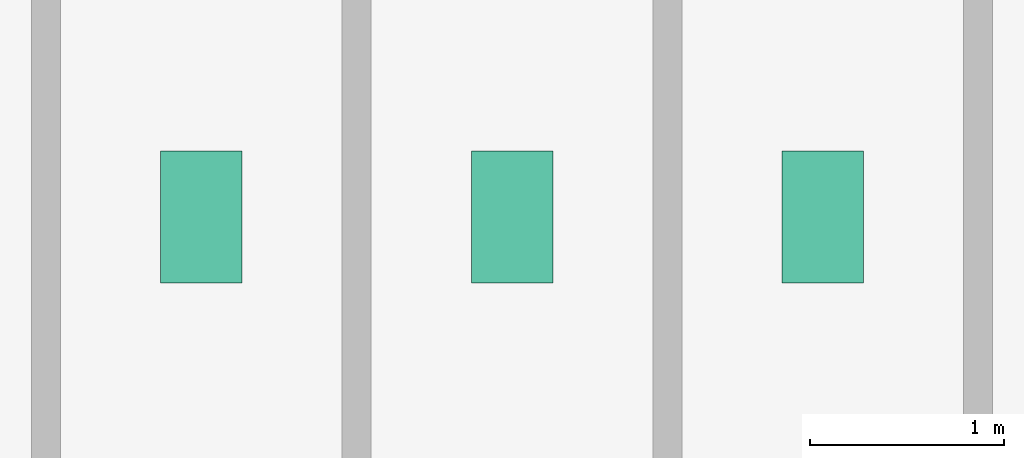
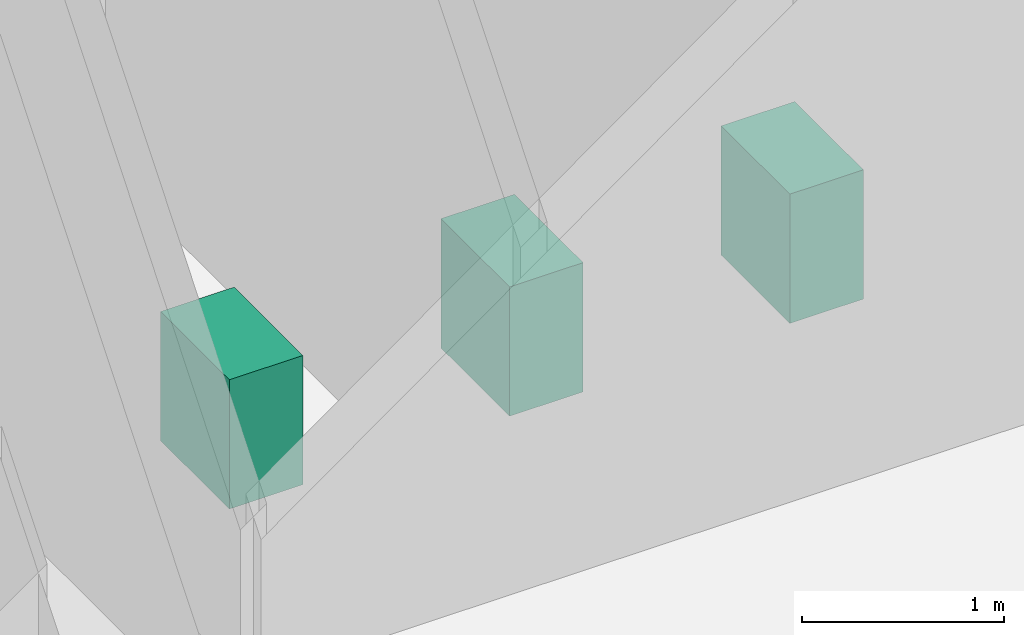
# One storey, part 22 of 22: 3 sanitary terminals.
"""IFC4 building model written with IfcOpenShell, lengths in metres."""

from ifc_helpers import new_model, si_unit, derived_unit, direction, frame, origin, origin_2d, place, context, subcontext, project, spatial, rectangle, extrude, source, transform, mapped, material, type_object, element, save


model = new_model("IFC4")

# Units and contexts
model_context = context("Model", 3, precision=1e-05, world=origin(), true_north=direction((0.0, 1.0)))
body_context = subcontext(model_context, "Body", "Model", "MODEL_VIEW")
ifc_project = project(units=[si_unit("LENGTHUNIT", "METRE"), si_unit("AREAUNIT", "SQUARE_METRE"), si_unit("VOLUMEUNIT", "CUBIC_METRE"), si_unit("PLANEANGLEUNIT", "RADIAN"), si_unit("MASSUNIT", "GRAM", prefix="KILO"), derived_unit("THERMALTRANSMITTANCEUNIT", [(si_unit("POWERUNIT", "WATT"), 1), (si_unit("LENGTHUNIT", "METRE"), -2), (si_unit("THERMODYNAMICTEMPERATUREUNIT", "KELVIN"), -1)])], contexts=[model_context])

# Site, building, storey
site_placement = place(None, origin())
site = spatial("IfcSite", under=ifc_project, at=site_placement, CompositionType="ELEMENT")
building_placement = place(site_placement, origin())
building = spatial("IfcBuilding", under=site, at=building_placement, Name="Skarnbrae Concourse Arena and Tower", CompositionType="ELEMENT")
storey_placement = place(building_placement, frame((0.0, 0.0, 214.14990234375)))
storey = spatial("IfcBuildingStorey", under=building, at=storey_placement, Name="L55", CompositionType="ELEMENT", Elevation=214.14990234375)

# Sanitary terminals
ifc_material = material(Name="Vitreous china sanitaryware", Category="other")
sanitary_terminal_type = type_object("IfcSanitaryTerminalType", Name="SAN-WC-VITREOUS", PredefinedType="TOILETPAN", material=ifc_material)
shared_shape = source(origin(), body_context, "Body", "SweptSolid", [
    extrude(rectangle(XDim=0.419921875, YDim=0.679931640625, at=origin_2d()), origin(), (0.0, 0.0, 1.0), 0.780029296875),
])
for number, where, z_axis, x_axis, name in (
    (1, (35.0, 11.39990234375, 0.0), (0.0, 0.0, 1.0), (1.0, 0.0, 0.0), "L55 Washroom WC fixture 1"),
    (2, (36.60009765625, 11.39990234375, 0.0), (0.0, 0.0, 1.0), (1.0, 0.0, 0.0), "L55 Washroom WC fixture 2"),
    (3, (38.199951171875, 11.39990234375, 0.0), (0.0, 0.0, 1.0), (1.0, 0.0, 0.0), "L55 Washroom WC fixture 3"),
):
    element("IfcSanitaryTerminal", number, at=place(storey_placement, frame(where, z_axis=z_axis, x_axis=x_axis)), inside=storey, type_object=sanitary_terminal_type, Name=name, PredefinedType="TOILETPAN", context=body_context, shape_type="MappedRepresentation", body=[
        mapped(shared_shape, transform((0.0, 0.0, 0.0))),
    ])

save(model, "model.ifc")
